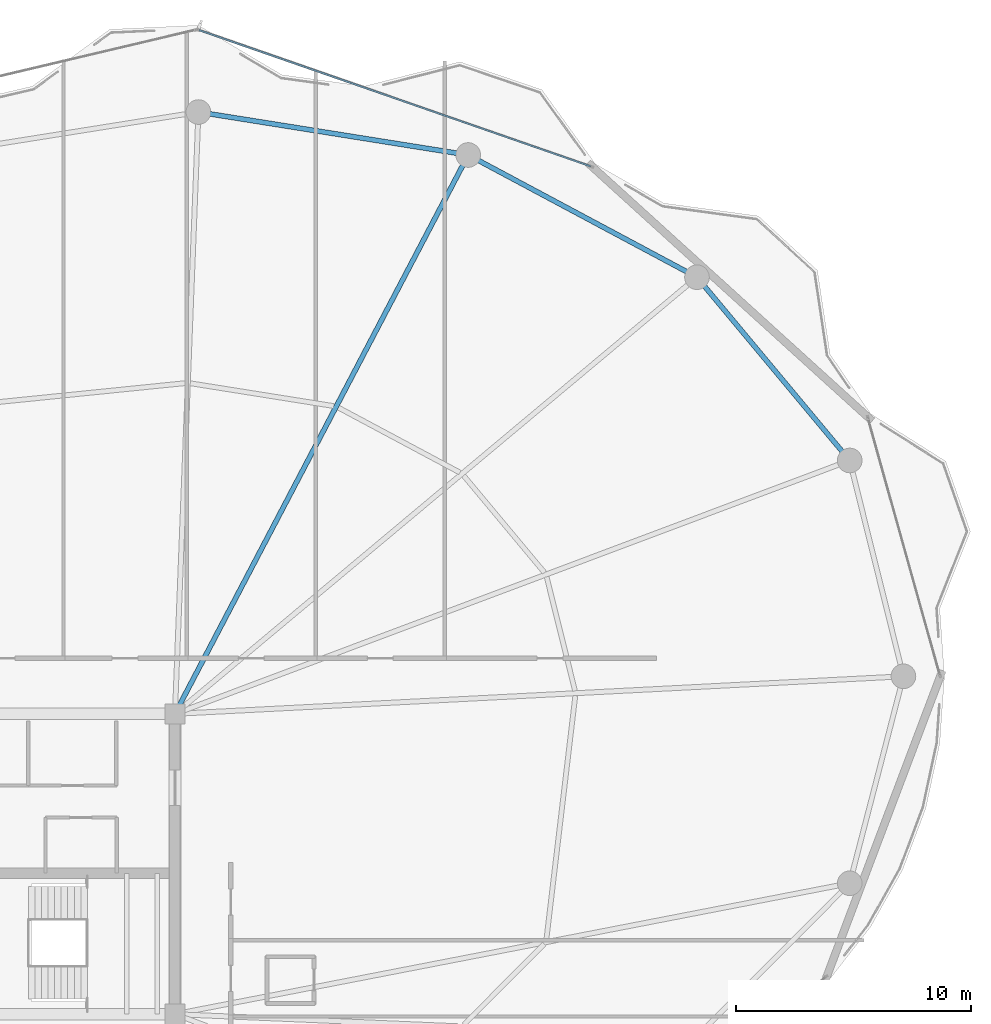
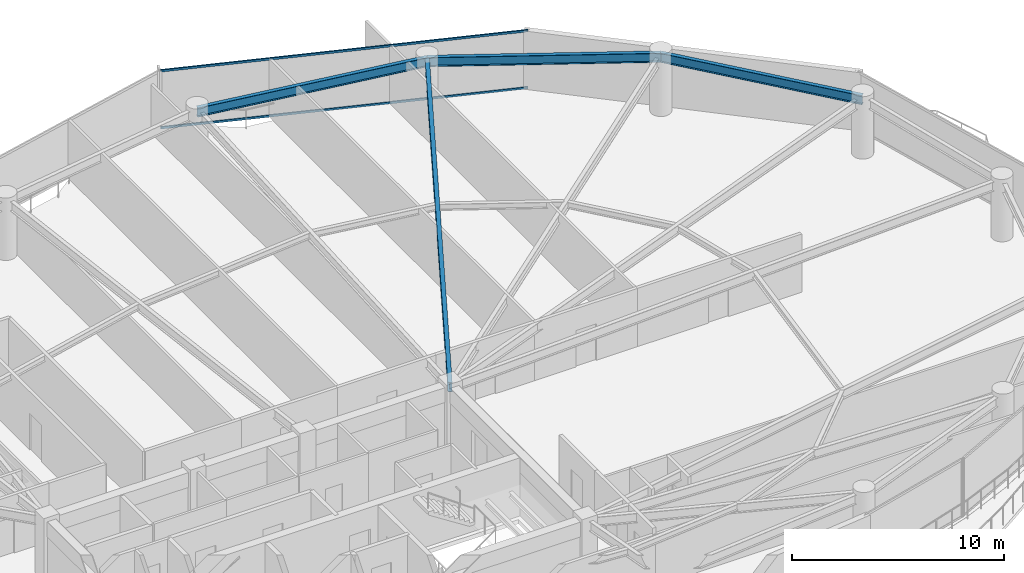
# One storey, part 20 of 29: 4 beams, 2 members, 1 element without a shape of its own.
"""IFC4 building model written with IfcOpenShell, lengths in metres."""

import ifcopenshell
import ifcopenshell.guid

model = None  # the IFC model being written
_history = None  # IfcOwnerHistory: only IFC2X3 demands one
_inside = {}  # id of a spatial element -> (the spatial element, [elements in it])
_under = {}  # id of a project, library or spatial element -> (it, [spatial elements below it])
_declared = {}  # id of a project -> (the project, [libraries it declares])
_typed = {}  # id of a type object -> (the type object, [elements of that type])
_made_of = {}  # id of a material, layer set ... -> (it, [elements and type objects made of it])


def new_model(schema):
    """Start an empty IFC model of exactly this schema.

    Asked for "IFC4X3", IfcOpenShell would pick the latest addendum, in which some entities
    have other attributes; the version numbers below select the first issue.
    IFC2X3 requires an IfcOwnerHistory on every rooted entity: one is made here for all.
    """
    global model, _history
    if schema == "IFC4X3":
        model = ifcopenshell.file(schema_version=(4, 3, 0, 0))
    else:
        model = ifcopenshell.file(schema=schema)
    _inside.clear()
    _under.clear()
    _declared.clear()
    _typed.clear()
    _made_of.clear()
    _history = None
    if model.schema == "IFC2X3":
        org = make("IfcOrganization", Name="unknown")
        user = make(
            "IfcPersonAndOrganization",
            ThePerson=make("IfcPerson", FamilyName="unknown"),
            TheOrganization=org,
        )
        app = make(
            "IfcApplication",
            ApplicationDeveloper=org,
            Version="unknown",
            ApplicationFullName="unknown",
            ApplicationIdentifier="unknown",
        )
        _history = make(
            "IfcOwnerHistory",
            OwningUser=user,
            OwningApplication=app,
            ChangeAction="ADDED",
            CreationDate=0,
        )
    return model


def make(cls, **values):
    """One entity of the class cls with the attributes given. An attribute that is None is left unset."""
    return model.create_entity(
        cls, **{name: value for name, value in values.items() if value is not None}
    )


def rooted(cls, **values):
    """An entity with a GlobalId (a new one), such as an element, a storey or a relation."""
    return make(cls, GlobalId=ifcopenshell.guid.new(), OwnerHistory=_history, **values)


def si_unit(unit_type, name, prefix=None):
    """IfcSIUnit, for example si_unit("LENGTHUNIT", "METRE", prefix="MILLI")."""
    return make("IfcSIUnit", UnitType=unit_type, Prefix=prefix, Name=name)


def assignment(units):
    """IfcUnitAssignment: the units of a project."""
    return None if units is None else make("IfcUnitAssignment", Units=units)


def point(xyz):
    """IfcCartesianPoint."""
    return None if xyz is None else make("IfcCartesianPoint", Coordinates=xyz)


def direction(xyz):
    """IfcDirection."""
    return None if xyz is None else make("IfcDirection", DirectionRatios=xyz)


def frame(location, z_axis=None, x_axis=None):
    """IfcAxis2Placement3D, a coordinate frame: its origin and axes. An axis left out is left unset."""
    return make(
        "IfcAxis2Placement3D",
        Location=point(location),
        Axis=direction(z_axis),
        RefDirection=direction(x_axis),
    )


def frame_2d(location, x_axis=None):
    """IfcAxis2Placement2D, a coordinate frame in the plane: its origin and x axis."""
    return make(
        "IfcAxis2Placement2D", Location=point(location), RefDirection=direction(x_axis)
    )


def origin():
    """The frame at (0, 0, 0) with its axes left unset."""
    return frame((0.0, 0.0, 0.0))


def origin_2d():
    """The frame at (0, 0) in the plane with its x axis left unset."""
    return frame_2d((0.0, 0.0))


def place(relative_to, where):
    """IfcLocalPlacement: puts the frame where relative to a parent placement (None: the world)."""
    return make(
        "IfcLocalPlacement", PlacementRelTo=relative_to, RelativePlacement=where
    )


def context(
    kind, dimensions, precision=None, world=None, true_north=None, identifier=None
):
    """IfcGeometricRepresentationContext, for example the 3D "Model" context."""
    return make(
        "IfcGeometricRepresentationContext",
        ContextIdentifier=identifier,
        ContextType=kind,
        CoordinateSpaceDimension=dimensions,
        Precision=precision,
        WorldCoordinateSystem=world,
        TrueNorth=true_north,
    )


def subcontext(parent, identifier, kind, view, scale=None):
    """IfcGeometricRepresentationSubContext, for example "Body" below "Model"."""
    return make(
        "IfcGeometricRepresentationSubContext",
        ContextIdentifier=identifier,
        ContextType=kind,
        ParentContext=parent,
        TargetScale=scale,
        TargetView=view,
    )


def project(units=None, contexts=None):
    """IfcProject with its units and contexts."""
    return rooted(
        "IfcProject",
        Name="project",
        RepresentationContexts=contexts,
        UnitsInContext=assignment(units),
    )


def spatial(cls, under=None, at=None, **own):
    """A site, building, storey or space (cls), placed at a placement, below another one or the project."""
    s = rooted(cls, ObjectPlacement=at, **own)
    if under is not None:
        _under.setdefault(under.id(), (under, []))[1].append(s)
    return s


def profile(cls, at=None, kind="AREA", **sizes):
    """A parametric profile (cls). Its sizes go by their IFC names, for example OverallWidth=200.0."""
    return make(cls, ProfileType=kind, Position=at, **sizes)


def hollow_rectangle(**sizes):
    """IfcRectangleHollowProfileDef."""
    return profile("IfcRectangleHollowProfileDef", **sizes)


def i_section(**sizes):
    """IfcIShapeProfileDef."""
    return profile("IfcIShapeProfileDef", **sizes)


def extrude(swept, where, along, depth):
    """IfcExtrudedAreaSolid: the profile swept, set in the frame where, extruded along a direction by depth."""
    return make(
        "IfcExtrudedAreaSolid",
        SweptArea=swept,
        Position=where,
        ExtrudedDirection=direction(along),
        Depth=depth,
    )


def shape(context_of_items, identifier, shape_type, items):
    """IfcShapeRepresentation: the items that make up one representation, for example the "Body"."""
    return make(
        "IfcShapeRepresentation",
        ContextOfItems=context_of_items,
        RepresentationIdentifier=identifier,
        RepresentationType=shape_type,
        Items=items,
    )


def material(Name=None, Category=None):
    """IfcMaterial."""
    return make("IfcMaterial", Name=Name, Category=Category)


def layer(
    of_material, thickness, ventilated=None, Name=None, Category=None, Priority=None
):
    """IfcMaterialLayer: one layer of a wall or slab, of a material (None: an air gap)."""
    return make(
        "IfcMaterialLayer",
        Material=of_material,
        LayerThickness=thickness,
        IsVentilated=ventilated,
        Name=Name,
        Category=Category,
        Priority=Priority,
    )


def layer_set(layers, Name=None):
    """IfcMaterialLayerSet."""
    return make("IfcMaterialLayerSet", MaterialLayers=layers, LayerSetName=Name)


def material_profile(
    of_material, cross_section, Name=None, Category=None, Priority=None
):
    """IfcMaterialProfile: a cross section and its material."""
    return make(
        "IfcMaterialProfile",
        Name=Name,
        Material=of_material,
        Profile=cross_section,
        Priority=Priority,
        Category=Category,
    )


def profile_set(profiles, Name=None, composite=None):
    """IfcMaterialProfileSet."""
    return make(
        "IfcMaterialProfileSet",
        Name=Name,
        MaterialProfiles=profiles,
        CompositeProfile=composite,
    )


def made_of(thing, what):
    """Note that an element or type object is made of a material, layer set ...; save() writes the relation."""
    if what is not None:
        _made_of.setdefault(what.id(), (what, []))[1].append(thing)
    return thing


def type_object(cls, material=None, **own):
    """A type object (cls), such as IfcWallType, which elements share."""
    return made_of(rooted(cls, **own), material)


def element(
    cls,
    number,
    at=None,
    inside=None,
    cuts=None,
    type_object=None,
    material=None,
    context=None,
    identifier="Body",
    shape_type=None,
    held_by="IfcProductDefinitionShape",
    body=None,
    shapes=None,
    **own,
):
    """One element of the class cls, such as IfcWall. Its Tag is "e" and its number.

    at: its placement. inside: the storey or other place that contains it. cuts: it is an
    opening in that element (IfcRelVoidsElement). A single representation is given by context,
    identifier, shape_type and body (its items); several are given by shapes. held_by: the class
    of the entity that holds the representations. save() writes the other relations.
    """
    e = rooted(cls, Tag="e%d" % number, ObjectPlacement=at, **own)
    if body is not None:
        shapes = [shape(context, identifier, shape_type, body)]
    if shapes is not None:
        e.Representation = make(held_by, Representations=shapes)
    if inside is not None:
        _inside.setdefault(inside.id(), (inside, []))[1].append(e)
    if cuts is not None:
        rooted(
            "IfcRelVoidsElement", RelatingBuildingElement=cuts, RelatedOpeningElement=e
        )
    if type_object is not None:
        _typed.setdefault(type_object.id(), (type_object, []))[1].append(e)
    return made_of(e, material)


def aggregate(whole, parts):
    """IfcRelAggregates: a whole, such as a stair, and the parts it consists of."""
    return rooted("IfcRelAggregates", RelatingObject=whole, RelatedObjects=parts)


def save(model, path):
    """Write the relations noted so far, then the file.

    IfcRelAggregates (storeys below a building ...), IfcRelContainedInSpatialStructure (elements
    in a storey), IfcRelDefinesByType, IfcRelAssociatesMaterial and IfcRelDeclares: one each for
    every whole, place, type object, material and project.
    """
    for whole, parts in _under.values():
        aggregate(whole, parts)
    for where, things in _inside.values():
        rooted(
            "IfcRelContainedInSpatialStructure",
            RelatedElements=things,
            RelatingStructure=where,
        )
    for kind, things in _typed.values():
        rooted("IfcRelDefinesByType", RelatedObjects=things, RelatingType=kind)
    for what, things in _made_of.values():
        rooted("IfcRelAssociatesMaterial", RelatedObjects=things, RelatingMaterial=what)
    for by, libraries in _declared.values():
        rooted("IfcRelDeclares", RelatingContext=by, RelatedDefinitions=libraries)
    model.write(path)


model = new_model("IFC4")

# Units and contexts
model_context = context("Model", 3, precision=1e-05, world=origin(), true_north=direction((0.0, 1.0)))
body_context = subcontext(model_context, "Body", "Model", "MODEL_VIEW")
ifc_project = project(units=[si_unit("LENGTHUNIT", "METRE"), si_unit("AREAUNIT", "SQUARE_METRE"), si_unit("VOLUMEUNIT", "CUBIC_METRE"), si_unit("PLANEANGLEUNIT", "RADIAN"), si_unit("MASSUNIT", "GRAM", prefix="KILO")], contexts=[model_context])

# Site, building, storey
site_placement = place(None, origin())
site = spatial("IfcSite", under=ifc_project, at=site_placement, CompositionType="ELEMENT")
building_placement = place(site_placement, origin())
building = spatial("IfcBuilding", under=site, at=building_placement, Name="Kazevale Care Tower and Concert Hall", CompositionType="ELEMENT")
storey_placement = place(building_placement, frame((0.0, 0.0, 213.60009765625)))
storey = spatial("IfcBuildingStorey", under=building, at=storey_placement, Name="L56", CompositionType="ELEMENT", Elevation=213.60009765625)

# Curtain wall, members
ifc_material_1 = material(Name="Aluminium 6063-T6 and Low-E Glass", Category="aluminium")
ifc_layer = layer(ifc_material_1, 0.179931640625)
ifc_layer_set = layer_set([ifc_layer], Name="Aluminium 6063-T6 and Low-E Glass")
curtain_wall_type = type_object("IfcCurtainWallType", Name="Convex Checkerboard Finned Curtain Wall CW-2", PredefinedType="NOTDEFINED", material=ifc_layer_set)
curtain_wall_placement = place(storey_placement, origin())
curtain_wall = element("IfcCurtainWall", 1, at=curtain_wall_placement, inside=storey, type_object=curtain_wall_type, Name="cw:L56:f16", PredefinedType="NOTDEFINED")
ifc_material_2 = material(Name="Aluminium 6063-T6", Category="aluminium")
ifc_material_profile_1 = material_profile(ifc_material_2, hollow_rectangle(XDim=0.074951171875, YDim=0.1201171875, WallThickness=0.00390625, at=origin_2d()), Name="ALU75x120x4")
ifc_profile_set_1 = profile_set([ifc_material_profile_1], Name="Aluminium 6063-T6")
member_type = type_object("IfcMemberType", Name="CW-2 Transom ALU75x120x4", PredefinedType="USERDEFINED", material=ifc_profile_set_1)
member_1_placement = place(storey_placement, frame((45.029541015625, 65.541748046875, 0.037353515625), z_axis=(0.944475733242, -0.328581176146, 0.0), x_axis=(0.328581176146, 0.944475733242, 0.0)))
member_1 = element("IfcMember", 2, at=member_1_placement, type_object=member_type, Name="CW-2 transom 1.1", ObjectType="TRANSOM", PredefinedType="USERDEFINED", context=body_context, shape_type="SweptSolid", body=[
    extrude(hollow_rectangle(XDim=0.074951171875, YDim=0.1201171875, WallThickness=0.00390625, at=origin_2d()), origin(), (0.0, 0.0, 1.0), 17.671142578125),
])
member_2_placement = place(storey_placement, frame((45.029541015625, 65.541748046875, 3.322509765625), z_axis=(0.944475733242, -0.328581176146, 0.0), x_axis=(0.328581176146, 0.944475733242, 0.0)))
member_2 = element("IfcMember", 3, at=member_2_placement, type_object=member_type, Name="CW-2 transom 1.2", ObjectType="TRANSOM", PredefinedType="USERDEFINED", context=body_context, shape_type="SweptSolid", body=[
    extrude(hollow_rectangle(XDim=0.074951171875, YDim=0.1201171875, WallThickness=0.00390625, at=origin_2d()), origin(), (0.0, 0.0, 1.0), 17.671142578125),
])
aggregate(curtain_wall, [member_1, member_2])

# Beams
ifc_material_3 = material(Name="Steel ASTM A572 Gr 50", Category="steel")
ifc_material_profile_2 = material_profile(ifc_material_3, i_section(OverallWidth=0.2119140625, OverallDepth=0.5439453125, WebThickness=0.01318359375, FlangeThickness=0.021240234375, at=origin_2d()), Name="W530x123")
ifc_profile_set_2 = profile_set([ifc_material_profile_2], Name="Steel ASTM A572 Gr 50")
beam_type_1 = type_object("IfcBeamType", Name="Radial Floor Girder W530x123", PredefinedType="BEAM", material=ifc_profile_set_2)
beam_1_placement = place(storey_placement, frame((44.0, 36.39990234375, 3.087890625), z_axis=(0.464672566396, 0.885482583702, 0.0), x_axis=(-0.885482583702, 0.464672566396, 0.0)))
element("IfcBeam", 4, at=beam_1_placement, inside=storey, type_object=beam_type_1, Name="beam:L56:rad:04", PredefinedType="BEAM", context=body_context, shape_type="SweptSolid", body=[
    extrude(i_section(OverallWidth=0.2119140625, OverallDepth=0.5439453125, WebThickness=0.01318359375, FlangeThickness=0.021240234375, at=origin_2d()), origin(), (0.0, 0.0, 1.0), 26.900634765625),
])
ifc_material_profile_3 = material_profile(ifc_material_3, i_section(OverallWidth=0.208984375, OverallDepth=0.532958984375, WebThickness=0.01025390625, FlangeThickness=0.015625, at=origin_2d()), Name="W530x92")
ifc_profile_set_3 = profile_set([ifc_material_profile_3], Name="Steel ASTM A572 Gr 50")
beam_type_2 = type_object("IfcBeamType", Name="Upper Ring Beam W530x92", PredefinedType="BEAM", material=ifc_profile_set_3)
beam_2_placement = place(storey_placement, frame((72.760009765625, 47.199951171875, 3.093505859375), z_axis=(-0.640278868102, 0.768142546056, 0.0), x_axis=(-0.768142546056, -0.640278868102, 0.0)))
element("IfcBeam", 5, at=beam_2_placement, inside=storey, type_object=beam_type_2, Name="beam:L56:ring:02", PredefinedType="BEAM", context=body_context, shape_type="SweptSolid", body=[
    extrude(i_section(OverallWidth=0.208984375, OverallDepth=0.532958984375, WebThickness=0.01025390625, FlangeThickness=0.015625, at=origin_2d()), origin(), (0.0, 0.0, 1.0), 10.16748046875),
])
beam_3_placement = place(storey_placement, frame((66.25, 55.010009765625, 3.093505859375), z_axis=(-0.881978519833, 0.471289603697, 0.0), x_axis=(-0.471289603697, -0.881978519833, 0.0)))
element("IfcBeam", 6, at=beam_3_placement, inside=storey, type_object=beam_type_2, Name="beam:L56:ring:03", PredefinedType="BEAM", context=body_context, shape_type="SweptSolid", body=[
    extrude(i_section(OverallWidth=0.208984375, OverallDepth=0.532958984375, WebThickness=0.01025390625, FlangeThickness=0.015625, at=origin_2d()), origin(), (0.0, 0.0, 1.0), 11.0546875),
])
beam_4_placement = place(storey_placement, frame((56.5, 60.219970703125, 3.093505859375), z_axis=(-0.987573207584, 0.15715966296, 0.0), x_axis=(-0.15715966296, -0.987573207584, 0.0)))
element("IfcBeam", 7, at=beam_4_placement, inside=storey, type_object=beam_type_2, Name="beam:L56:ring:04", PredefinedType="BEAM", context=body_context, shape_type="SweptSolid", body=[
    extrude(i_section(OverallWidth=0.208984375, OverallDepth=0.532958984375, WebThickness=0.01025390625, FlangeThickness=0.015625, at=origin_2d()), origin(), (0.0, 0.0, 1.0), 11.644775390625),
])

save(model, "model.ifc")
